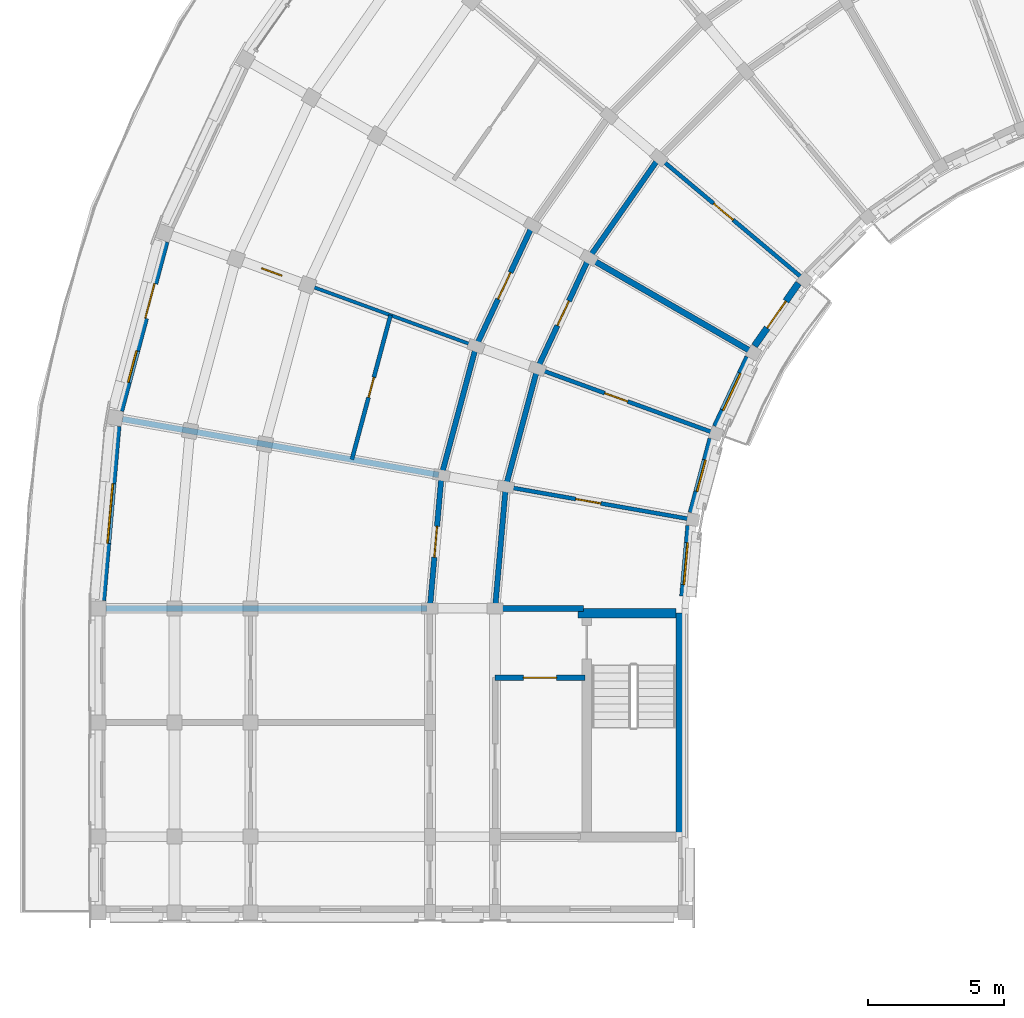
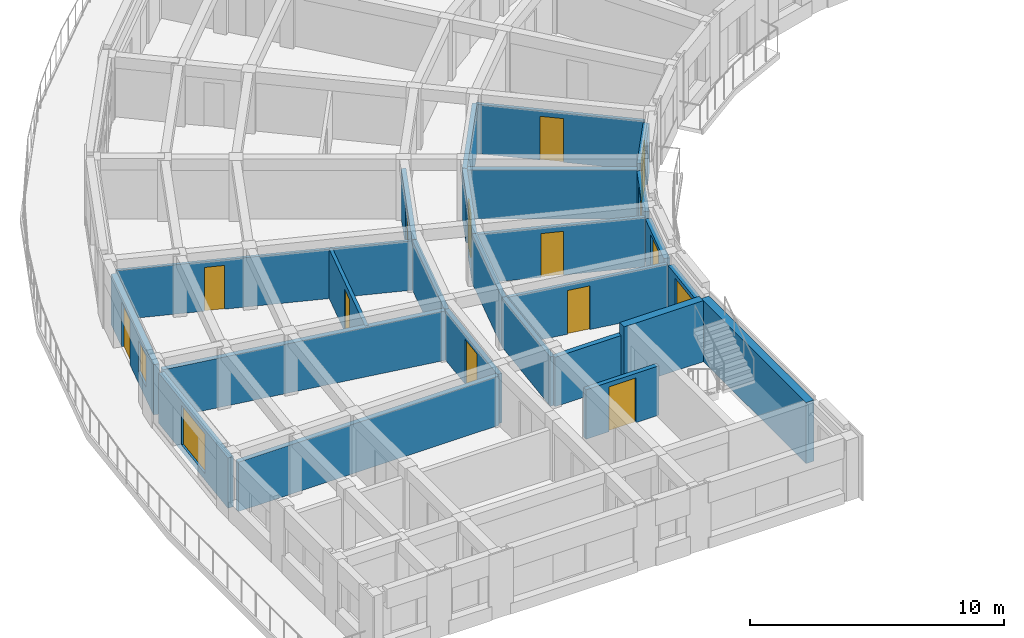
# One storey, part 11 of 23: 25 walls, 11 doors, 5 windows, 16 openings.
"""IFC4 building model written with IfcOpenShell, lengths in metres."""

from ifc_helpers import new_model, si_unit, direction, frame, frame_2d, origin, place, context, subcontext, project, spatial, rectangle, extrude, material, layer, layer_set, type_object, element, fill, save


model = new_model("IFC4")

# Units and contexts
model_context = context("Model", 3, precision=1e-05, world=origin(), true_north=direction((0.0, 1.0)))
body_context = subcontext(model_context, "Body", "Model", "MODEL_VIEW")
ifc_project = project(units=[si_unit("LENGTHUNIT", "METRE"), si_unit("AREAUNIT", "SQUARE_METRE"), si_unit("VOLUMEUNIT", "CUBIC_METRE"), si_unit("PLANEANGLEUNIT", "RADIAN"), si_unit("MASSUNIT", "GRAM", prefix="KILO")], contexts=[model_context])

# Site, building, storey
site_placement = place(None, origin())
site = spatial("IfcSite", under=ifc_project, at=site_placement, CompositionType="ELEMENT")
building_placement = place(site_placement, origin())
building = spatial("IfcBuilding", under=site, at=building_placement, Name="Kiranvali Square Residences", CompositionType="ELEMENT")
storey_placement = place(building_placement, frame((0.0, 0.0, 43.35009765625)))
storey = spatial("IfcBuildingStorey", under=building, at=storey_placement, Name="L13", CompositionType="ELEMENT", Elevation=43.35009765625)

# Wall, opening, door
ifc_material_1 = material(Name="Autoclaved aerated concrete blockwork masonry", Category="masonry")
ifc_layer_1 = layer(ifc_material_1, 0.199951171875)
ifc_layer_set_1 = layer_set([ifc_layer_1], Name="Autoclaved aerated concrete blockwork masonry")
wall_type_1 = type_object("IfcWallType", Name="WL-COR-200", PredefinedType="STANDARD", material=ifc_layer_set_1)
wall_1_placement = place(storey_placement, frame((25.699951171875, 85.25, 0.0), z_axis=(0.0, 0.0, 1.0), x_axis=(-1.0, 0.0, 0.0)))
wall_1 = element("IfcWall", 1, at=wall_1_placement, inside=storey, type_object=wall_type_1, Name="L13 architectural wall WL-L13-A-S3-V", PredefinedType="STANDARD", context=body_context, shape_type="SweptSolid", body=[
    extrude(rectangle(XDim=3.300048828125, YDim=0.199951171875, at=frame_2d((1.64990234375, 0.0))), origin(), (0.0, 0.0, 1.0), 2.371826171875),
])
opening_1_placement = place(wall_1_placement, frame((1.0400390625, 0.0, 0.0)))
opening_1 = element("IfcOpeningElement", 2, at=opening_1_placement, cuts=wall_1, Name="Opening FD-COR-60", PredefinedType="OPENING", context=body_context, shape_type="SweptSolid", body=[
    extrude(rectangle(XDim=1.219970703125, YDim=2.14990234375, at=frame_2d((0.60986328125, 1.074951171875))), frame((0.0, 0.10986328125, 0.0), z_axis=(0.0, -1.0, 0.0), x_axis=(1.0, 0.0, 0.0)), (0.0, 0.0, 1.0), 0.219970703125),
])
ifc_material_2 = material(Name="Fire-rated acoustic hardwood and mineral-core door assembly", Category="wood")
door_type_1 = type_object("IfcDoorType", Name="DR-FD60-1200", OperationType="NOTDEFINED", PredefinedType="DOOR", material=ifc_material_2)
door_1_placement = place(opening_1_placement, origin())
door_1 = element("IfcDoor", 3, at=door_1_placement, inside=storey, type_object=door_type_1, Name="L13 door DR-L13-0801 (DR-FD60-1200)", OperationType="SINGLE_SWING_LEFT", OverallHeight=2.14990234375, OverallWidth=1.219970703125, PredefinedType="DOOR", context=body_context, shape_type="SweptSolid", body=[
    extrude(rectangle(XDim=1.219970703125, YDim=2.14990234375, at=frame_2d((0.60986328125, 1.074951171875))), frame((0.0, 0.02490234375, 0.0), z_axis=(0.0, -1.0, 0.0), x_axis=(1.0, 0.0, 0.0)), (0.0, 0.0, 1.0), 0.050048828125),
])
fill(opening_1, door_1)

# Wall
wall_2_placement = place(storey_placement, frame((28.43603515625, 104.384033203125, 0.0), z_axis=(0.0, 0.0, 1.0), x_axis=(-0.573571637217, -0.819155404658, 0.0)))
element("IfcWall", 4, at=wall_2_placement, inside=storey, type_object=wall_type_1, Name="L13 architectural wall WL-L13-A-CCI-5", PredefinedType="STANDARD", context=body_context, shape_type="SweptSolid", body=[
    extrude(rectangle(XDim=4.497314453125, YDim=0.199951171875, at=frame_2d((2.24853515625, 0.0))), origin(), (0.0, 0.0, 1.0), 2.371826171875),
])

# Wall, opening, door
wall_3_placement = place(storey_placement, frame((25.8564453125, 100.699951171875, 0.0), z_axis=(0.0, 0.0, 1.0), x_axis=(-0.422617978463, -0.906307919131, 0.0)))
wall_3 = element("IfcWall", 5, at=wall_3_placement, inside=storey, type_object=wall_type_1, Name="L13 architectural wall WL-L13-A-CCI-6", PredefinedType="STANDARD", context=body_context, shape_type="SweptSolid", body=[
    extrude(rectangle(XDim=4.497314453125, YDim=0.199951171875, at=frame_2d((2.24853515625, 0.0))), origin(), (0.0, 0.0, 1.0), 2.371826171875),
])
opening_2_placement = place(wall_3_placement, frame((1.74853515625, 0.0, 0.0)))
opening_2 = element("IfcOpeningElement", 6, at=opening_2_placement, cuts=wall_3, Name="Opening FD-APT-60", PredefinedType="OPENING", context=body_context, shape_type="SweptSolid", body=[
    extrude(rectangle(XDim=1.0, YDim=2.14990234375, at=frame_2d((0.5, 1.074951171875))), frame((0.0, 0.10986328125, 0.0), z_axis=(0.0, -1.0, 0.0), x_axis=(1.0, 0.0, 0.0)), (0.0, 0.0, 1.0), 0.219970703125),
])
door_type_2 = type_object("IfcDoorType", Name="DR-APT-1000", OperationType="NOTDEFINED", PredefinedType="DOOR", material=ifc_material_2)
door_2_placement = place(opening_2_placement, frame((1.0, 0.0, 0.0), z_axis=(0.0, 0.0, 1.0), x_axis=(-1.0, 0.0, 0.0)))
door_2 = element("IfcDoor", 7, at=door_2_placement, inside=storey, type_object=door_type_2, Name="L13 door DR-L13-0840 (DR-APT-1000)", OperationType="SINGLE_SWING_RIGHT", OverallHeight=2.14990234375, OverallWidth=1.0, PredefinedType="DOOR", context=body_context, shape_type="SweptSolid", body=[
    extrude(rectangle(XDim=1.0, YDim=2.14990234375, at=frame_2d((0.5, 1.074951171875))), frame((0.0, 0.02490234375, 0.0), z_axis=(0.0, -1.0, 0.0), x_axis=(1.0, 0.0, 0.0)), (0.0, 0.0, 1.0), 0.050048828125),
])
fill(opening_2, door_2)

wall_4_placement = place(storey_placement, frame((23.778076171875, 101.89990234375, 0.0), z_axis=(0.0, 0.0, 1.0), x_axis=(-0.422629854778, -0.906302381024, 0.0)))
wall_4 = element("IfcWall", 8, at=wall_4_placement, inside=storey, type_object=wall_type_1, Name="L13 architectural wall WL-L13-A-CCO-6", PredefinedType="STANDARD", context=body_context, shape_type="SweptSolid", body=[
    extrude(rectangle(XDim=4.915283203125, YDim=0.199951171875, at=frame_2d((2.45751953125, 0.0))), origin(), (0.0, 0.0, 1.0), 2.371826171875),
])
opening_3_placement = place(wall_4_placement, frame((1.917724609375, 0.0, 0.0)))
opening_3 = element("IfcOpeningElement", 9, at=opening_3_placement, cuts=wall_4, Name="Opening FD-APT-60C", PredefinedType="OPENING", context=body_context, shape_type="SweptSolid", body=[
    extrude(rectangle(XDim=1.080078125, YDim=2.14990234375, at=frame_2d((0.5400390625, 1.074951171875))), frame((0.0, 0.10986328125, 0.0), z_axis=(0.0, -1.0, 0.0), x_axis=(1.0, 0.0, 0.0)), (0.0, 0.0, 1.0), 0.219970703125),
])
door_type_3 = type_object("IfcDoorType", Name="DR-APT-1080", OperationType="NOTDEFINED", PredefinedType="DOOR", material=ifc_material_2)
door_3_placement = place(opening_3_placement, origin())
door_3 = element("IfcDoor", 10, at=door_3_placement, inside=storey, type_object=door_type_3, Name="L13 door DR-L13-0835 (DR-APT-1080)", OperationType="SINGLE_SWING_LEFT", OverallHeight=2.14990234375, OverallWidth=1.080078125, PredefinedType="DOOR", context=body_context, shape_type="SweptSolid", body=[
    extrude(rectangle(XDim=1.080078125, YDim=2.14990234375, at=frame_2d((0.5400390625, 1.074951171875))), frame((0.0, 0.02490234375, 0.0), z_axis=(0.0, -1.0, 0.0), x_axis=(1.0, 0.0, 0.0)), (0.0, 0.0, 1.0), 0.050048828125),
])
fill(opening_3, door_3)

# Walls
wall_5_placement = place(storey_placement, frame((23.955810546875, 96.6240234375, 0.0), z_axis=(0.0, 0.0, 1.0), x_axis=(-0.258787642463, -0.965934240054, 0.0)))
element("IfcWall", 11, at=wall_5_placement, inside=storey, type_object=wall_type_1, Name="L13 architectural wall WL-L13-A-CCI-7", PredefinedType="STANDARD", context=body_context, shape_type="SweptSolid", body=[
    extrude(rectangle(XDim=4.497314453125, YDim=0.199951171875, at=frame_2d((2.24853515625, 0.0))), origin(), (0.0, 0.0, 1.0), 2.371826171875),
])
wall_6_placement = place(storey_placement, frame((21.70068359375, 97.445068359375, 0.0), z_axis=(0.0, 0.0, 1.0), x_axis=(-0.258803112091, -0.965930095386, 0.0)))
element("IfcWall", 12, at=wall_6_placement, inside=storey, type_object=wall_type_1, Name="L13 architectural wall WL-L13-A-CCO-7", PredefinedType="STANDARD", context=body_context, shape_type="SweptSolid", body=[
    extrude(rectangle(XDim=4.915771484375, YDim=0.199951171875, at=frame_2d((2.4580078125, 0.0))), origin(), (0.0, 0.0, 1.0), 2.371826171875),
])
wall_7_placement = place(storey_placement, frame((22.7919921875, 92.280029296875, 0.0), z_axis=(0.0, 0.0, 1.0), x_axis=(-0.087187153726, -0.996191949488, 0.0)))
element("IfcWall", 13, at=wall_7_placement, inside=storey, type_object=wall_type_1, Name="L13 architectural wall WL-L13-A-CCI-8", PredefinedType="STANDARD", context=body_context, shape_type="SweptSolid", body=[
    extrude(rectangle(XDim=4.4970703125, YDim=0.199951171875, at=frame_2d((2.24853515625, 0.0))), origin(), (0.0, 0.0, 1.0), 2.371826171875),
])

# Wall, opening, door
wall_8_placement = place(storey_placement, frame((20.428466796875, 92.69677734375, 0.0), z_axis=(0.0, 0.0, 1.0), x_axis=(-0.087167566415, -0.996193663584, 0.0)))
wall_8 = element("IfcWall", 14, at=wall_8_placement, inside=storey, type_object=wall_type_1, Name="L13 architectural wall WL-L13-A-CCO-8", PredefinedType="STANDARD", context=body_context, shape_type="SweptSolid", body=[
    extrude(rectangle(XDim=4.91552734375, YDim=0.199951171875, at=frame_2d((2.457763671875, 0.0))), origin(), (0.0, 0.0, 1.0), 2.371826171875),
])
opening_4_placement = place(wall_8_placement, frame((1.8876953125, 0.0, 0.0)))
opening_4 = element("IfcOpeningElement", 15, at=opening_4_placement, cuts=wall_8, Name="Opening FD-APT-60D", PredefinedType="OPENING", context=body_context, shape_type="SweptSolid", body=[
    extrude(rectangle(XDim=1.139892578125, YDim=2.14990234375, at=frame_2d((0.56982421875, 1.074951171875))), frame((0.0, 0.10986328125, 0.0), z_axis=(0.0, -1.0, 0.0), x_axis=(1.0, 0.0, 0.0)), (0.0, 0.0, 1.0), 0.219970703125),
])
door_type_4 = type_object("IfcDoorType", Name="DR-APT-1140", OperationType="NOTDEFINED", PredefinedType="DOOR", material=ifc_material_2)
door_4_placement = place(opening_4_placement, origin())
door_4 = element("IfcDoor", 16, at=door_4_placement, inside=storey, type_object=door_type_4, Name="L13 door DR-L13-0837 (DR-APT-1140)", OperationType="SINGLE_SWING_LEFT", OverallHeight=2.14990234375, OverallWidth=1.139892578125, PredefinedType="DOOR", context=body_context, shape_type="SweptSolid", body=[
    extrude(rectangle(XDim=1.139892578125, YDim=2.14990234375, at=frame_2d((0.56982421875, 1.074951171875))), frame((0.0, 0.02490234375, 0.0), z_axis=(0.0, -1.0, 0.0), x_axis=(1.0, 0.0, 0.0)), (0.0, 0.0, 1.0), 0.050048828125),
])
fill(opening_4, door_4)

# Walls
ifc_layer_2 = layer(ifc_material_1, 0.219970703125)
ifc_layer_set_2 = layer_set([ifc_layer_2], Name="Autoclaved aerated concrete blockwork masonry")
wall_type_2 = type_object("IfcWallType", Name="WL-DEM-220", PredefinedType="STANDARD", material=ifc_layer_set_2)
wall_9_placement = place(storey_placement, frame((31.74560546875, 97.300048828125, 0.0), z_axis=(0.0, 0.0, 1.0), x_axis=(-0.866026575979, 0.499997969693, 0.0)))
element("IfcWall", 17, at=wall_9_placement, inside=storey, type_object=wall_type_2, Name="L13 architectural wall WL-L13-A-RADI-6", PredefinedType="STANDARD", context=body_context, shape_type="SweptSolid", body=[
    extrude(rectangle(XDim=6.75, YDim=0.219970703125, at=frame_2d((3.375, 0.0))), origin(), (0.0, 0.0, 1.0), 2.371826171875),
])
wall_10_placement = place(storey_placement, frame((20.329833984375, 92.71435546875, 0.0), z_axis=(0.0, 0.0, 1.0), x_axis=(-0.984808085438, 0.173646292378, 0.0)))
element("IfcWall", 18, at=wall_10_placement, inside=storey, type_object=wall_type_2, Name="L13 architectural wall WL-L13-A-RADO-8", PredefinedType="STANDARD", context=body_context, shape_type="SweptSolid", body=[
    extrude(rectangle(XDim=11.820068359375, YDim=0.219970703125, at=frame_2d((5.91015625, 0.0))), origin(), (0.0, 0.0, 1.0), 2.371826171875),
])
wall_11_placement = place(storey_placement, frame((25.64990234375, 87.800048828125, 0.0), z_axis=(0.0, 0.0, 1.0), x_axis=(-1.0, 0.0, 0.0)))
element("IfcWall", 19, at=wall_11_placement, inside=storey, type_object=wall_type_2, Name="L13 architectural wall WL-L13-A-RADI-9", PredefinedType="STANDARD", context=body_context, shape_type="SweptSolid", body=[
    extrude(rectangle(XDim=3.199951171875, YDim=0.219970703125, at=frame_2d((1.60009765625, 0.0))), origin(), (0.0, 0.0, 1.0), 2.371826171875),
])
wall_12_placement = place(storey_placement, frame((19.89990234375, 87.800048828125, 0.0), z_axis=(0.0, 0.0, 1.0), x_axis=(-1.0, 0.0, 0.0)))
element("IfcWall", 20, at=wall_12_placement, inside=storey, type_object=wall_type_2, Name="L13 architectural wall WL-L13-A-RADO-9", PredefinedType="STANDARD", context=body_context, shape_type="SweptSolid", body=[
    extrude(rectangle(XDim=11.81982421875, YDim=0.219970703125, at=frame_2d((5.909912109375, 0.0))), origin(), (0.0, 0.0, 1.0), 2.371826171875),
])

# Wall, openings, door, window
ifc_material_3 = material(Name="Breathable lime-rendered clay brick masonry", Category="masonry")
ifc_layer_3 = layer(ifc_material_3, 0.25)
ifc_layer_set_3 = layer_set([ifc_layer_3], Name="Breathable lime-rendered clay brick masonry")
wall_type_3 = type_object("IfcWallType", Name="WL-EXT-250", PredefinedType="STANDARD", material=ifc_layer_set_3)
wall_13_placement = place(storey_placement, frame((10.279296875, 101.294921875, 0.0), z_axis=(0.0, 0.0, 1.0), x_axis=(-0.258804290367, -0.965929779688, 0.0)))
wall_13 = element("IfcWall", 21, at=wall_13_placement, inside=storey, type_object=wall_type_3, Name="L13 exterior wall A-L13-CRV-07", PredefinedType="STANDARD", context=body_context, shape_type="SweptSolid", body=[
    extrude(rectangle(XDim=6.441162109375, YDim=0.25, at=frame_2d((3.220703125, 0.0))), origin(), (0.0, 0.0, 1.0), 2.411865234375),
])
opening_5_placement = place(wall_13_placement, frame((4.15478515625, 0.0, 0.56201171875)))
opening_5 = element("IfcOpeningElement", 22, at=opening_5_placement, cuts=wall_13, Name="Opening W-06", PredefinedType="OPENING", context=body_context, shape_type="SweptSolid", body=[
    extrude(rectangle(XDim=1.199951171875, YDim=1.5, at=frame_2d((0.60009765625, 0.75))), frame((0.0, 0.135009765625, 0.0), z_axis=(0.0, -1.0, 0.0), x_axis=(1.0, 0.0, 0.0)), (0.0, 0.0, 1.0), 0.27001953125),
])
opening_6_placement = place(wall_13_placement, frame((1.594482421875, 0.0, 0.0)))
opening_6 = element("IfcOpeningElement", 23, at=opening_6_placement, cuts=wall_13, Name="Opening ED-BAL-3", PredefinedType="OPENING", context=body_context, shape_type="SweptSolid", body=[
    extrude(rectangle(XDim=1.320068359375, YDim=2.14990234375, at=frame_2d((0.66015625, 1.074951171875))), frame((0.0, 0.135009765625, 0.0), z_axis=(0.0, -1.0, 0.0), x_axis=(1.0, 0.0, 0.0)), (0.0, 0.0, 1.0), 0.27001953125),
])
ifc_material_4 = material(Name="Anodised bronze aluminium framing", Category="aluminium")
door_type_5 = type_object("IfcDoorType", Name="DR-BAL-1320", OperationType="NOTDEFINED", PredefinedType="DOOR", material=ifc_material_4)
door_5_placement = place(opening_6_placement, frame((1.320068359375, 0.0, 0.0), z_axis=(0.0, 0.0, 1.0), x_axis=(-1.0, 0.0, 0.0)))
door_5 = element("IfcDoor", 24, at=door_5_placement, inside=storey, type_object=door_type_5, Name="L13 balcony terrace door", OperationType="SINGLE_SWING_LEFT", OverallHeight=2.14990234375, OverallWidth=1.320068359375, PredefinedType="DOOR", context=body_context, shape_type="SweptSolid", body=[
    extrude(rectangle(XDim=1.320068359375, YDim=2.14990234375, at=frame_2d((0.66015625, 1.074951171875))), frame((0.0, 0.02490234375, 0.0), z_axis=(0.0, -1.0, 0.0), x_axis=(1.0, 0.0, 0.0)), (0.0, 0.0, 1.0), 0.050048828125),
])
fill(opening_6, door_5)
ifc_material_5 = material(Name="Solar-control low-e double glazing", Category="glass")
window_type_1 = type_object("IfcWindowType", Name="WIN-RES-1200x1500", PartitioningType="SINGLE_PANEL", PredefinedType="WINDOW", material=ifc_material_5)
window_1_placement = place(opening_5_placement, origin())
window_1 = element("IfcWindow", 25, at=window_1_placement, inside=storey, type_object=window_type_1, Name="L13 recessed window A-L13-CRV-07", OverallHeight=1.5, OverallWidth=1.199951171875, PartitioningType="SINGLE_PANEL", PredefinedType="WINDOW", context=body_context, shape_type="SweptSolid", body=[
    extrude(rectangle(XDim=1.199951171875, YDim=1.5, at=frame_2d((0.60009765625, 0.75))), frame((0.0, 0.030029296875, 0.0), z_axis=(0.0, -1.0, 0.0), x_axis=(1.0, 0.0, 0.0)), (0.0, 0.0, 1.0), 0.06005859375),
])
fill(opening_5, window_1)

# Wall, opening, window
wall_14_placement = place(storey_placement, frame((8.51220703125, 94.505126953125, 0.0), z_axis=(0.0, 0.0, 1.0), x_axis=(-0.087179175472, -0.996192647716, 0.0)))
wall_14 = element("IfcWall", 26, at=wall_14_placement, inside=storey, type_object=wall_type_3, Name="L13 exterior wall A-L13-CRV-08", PredefinedType="STANDARD", context=body_context, shape_type="SweptSolid", body=[
    extrude(rectangle(XDim=6.44091796875, YDim=0.25, at=frame_2d((3.220458984375, 0.0))), origin(), (0.0, 0.0, 1.0), 2.411865234375),
])
opening_7_placement = place(wall_14_placement, frame((2.12060546875, 0.0, 0.31201171875)))
opening_7 = element("IfcOpeningElement", 27, at=opening_7_placement, cuts=wall_14, Name="Opening W-20", PredefinedType="OPENING", context=body_context, shape_type="SweptSolid", body=[
    extrude(rectangle(XDim=2.199951171875, YDim=1.89990234375, at=frame_2d((1.10009765625, 0.949951171875))), frame((0.0, 0.135009765625, 0.0), z_axis=(0.0, -1.0, 0.0), x_axis=(1.0, 0.0, 0.0)), (0.0, 0.0, 1.0), 0.27001953125),
])
window_type_2 = type_object("IfcWindowType", Name="WIN-TER-2200x1900", PartitioningType="TRIPLE_PANEL_VERTICAL", PredefinedType="WINDOW", material=ifc_material_5)
window_2_placement = place(opening_7_placement, origin())
window_2 = element("IfcWindow", 28, at=window_2_placement, inside=storey, type_object=window_type_2, Name="L13 recessed window A-L13-CRV-08", OverallHeight=1.89990234375, OverallWidth=2.199951171875, PartitioningType="TRIPLE_PANEL_VERTICAL", PredefinedType="WINDOW", context=body_context, shape_type="SweptSolid", body=[
    extrude(rectangle(XDim=2.199951171875, YDim=1.89990234375, at=frame_2d((1.10009765625, 0.949951171875))), frame((0.0, 0.030029296875, 0.0), z_axis=(0.0, -1.0, 0.0), x_axis=(1.0, 0.0, 0.0)), (0.0, 0.0, 1.0), 0.06005859375),
])
fill(opening_7, window_2)

# Wall, opening, door
wall_15_placement = place(storey_placement, frame((33.56494140625, 99.76904296875, 0.0), z_axis=(0.0, 0.0, 1.0), x_axis=(-0.573572722716, -0.819154644592, 0.0)))
wall_15 = element("IfcWall", 29, at=wall_15_placement, inside=storey, type_object=wall_type_3, Name="L13 exterior wall A-L13-GDN-05", PredefinedType="STANDARD", context=body_context, shape_type="SweptSolid", body=[
    extrude(rectangle(XDim=2.8203125, YDim=0.25, at=frame_2d((1.41015625, 0.0))), origin(), (0.0, 0.0, 1.0), 2.421875),
])
opening_8_placement = place(wall_15_placement, frame((0.81005859375, 0.0, 0.0)))
opening_8 = element("IfcOpeningElement", 30, at=opening_8_placement, cuts=wall_15, Name="Opening ED-BAL-1", PredefinedType="OPENING", context=body_context, shape_type="SweptSolid", body=[
    extrude(rectangle(XDim=1.199951171875, YDim=2.14990234375, at=frame_2d((0.60009765625, 1.074951171875))), frame((0.0, 0.135009765625, 0.0), z_axis=(0.0, -1.0, 0.0), x_axis=(1.0, 0.0, 0.0)), (0.0, 0.0, 1.0), 0.27001953125),
])
door_type_6 = type_object("IfcDoorType", Name="DR-BAL-1200", OperationType="NOTDEFINED", PredefinedType="DOOR", material=ifc_material_4)
door_6_placement = place(opening_8_placement, origin())
door_6 = element("IfcDoor", 31, at=door_6_placement, inside=storey, type_object=door_type_6, Name="L13 balcony terrace door", OperationType="SINGLE_SWING_LEFT", OverallHeight=2.14990234375, OverallWidth=1.199951171875, PredefinedType="DOOR", context=body_context, shape_type="SweptSolid", body=[
    extrude(rectangle(XDim=1.199951171875, YDim=2.14990234375, at=frame_2d((0.60009765625, 1.074951171875))), frame((0.0, 0.02490234375, 0.0), z_axis=(0.0, -1.0, 0.0), x_axis=(1.0, 0.0, 0.0)), (0.0, 0.0, 1.0), 0.050048828125),
])
fill(opening_8, door_6)

# Wall, opening, window
wall_16_placement = place(storey_placement, frame((31.708984375, 97.045654296875, 0.0), z_axis=(0.0, 0.0, 1.0), x_axis=(-0.422667431484, -0.906284857185, 0.0)))
wall_16 = element("IfcWall", 32, at=wall_16_placement, inside=storey, type_object=wall_type_3, Name="L13 exterior wall A-L13-GDN-06", PredefinedType="STANDARD", context=body_context, shape_type="SweptSolid", body=[
    extrude(rectangle(XDim=2.81982421875, YDim=0.25, at=frame_2d((1.409912109375, 0.0))), origin(), (0.0, 0.0, 1.0), 2.421875),
])
opening_9_placement = place(wall_16_placement, frame((0.66015625, 0.0, 0.572021484375)))
opening_9 = element("IfcOpeningElement", 33, at=opening_9_placement, cuts=wall_16, Name="Opening W-05", PredefinedType="OPENING", context=body_context, shape_type="SweptSolid", body=[
    extrude(rectangle(XDim=1.5, YDim=1.64990234375, at=frame_2d((0.75, 0.824951171875))), frame((0.0, 0.135009765625, 0.0), z_axis=(0.0, -1.0, 0.0), x_axis=(1.0, 0.0, 0.0)), (0.0, 0.0, 1.0), 0.27001953125),
])
window_type_3 = type_object("IfcWindowType", Name="WIN-RES-1500x1650", PartitioningType="DOUBLE_PANEL_VERTICAL", PredefinedType="WINDOW", material=ifc_material_5)
window_3_placement = place(opening_9_placement, origin())
window_3 = element("IfcWindow", 34, at=window_3_placement, inside=storey, type_object=window_type_3, Name="L13 recessed window A-L13-GDN-06", OverallHeight=1.64990234375, OverallWidth=1.5, PartitioningType="DOUBLE_PANEL_VERTICAL", PredefinedType="WINDOW", context=body_context, shape_type="SweptSolid", body=[
    extrude(rectangle(XDim=1.5, YDim=1.64990234375, at=frame_2d((0.75, 0.824951171875))), frame((0.0, 0.030029296875, 0.0), z_axis=(0.0, -1.0, 0.0), x_axis=(1.0, 0.0, 0.0)), (0.0, 0.0, 1.0), 0.06005859375),
])
fill(opening_9, window_3)

wall_17_placement = place(storey_placement, frame((30.35400390625, 94.041748046875, 0.0), z_axis=(0.0, 0.0, 1.0), x_axis=(-0.258837049266, -0.965921001908, 0.0)))
wall_17 = element("IfcWall", 35, at=wall_17_placement, inside=storey, type_object=wall_type_3, Name="L13 exterior wall A-L13-GDN-07", PredefinedType="STANDARD", context=body_context, shape_type="SweptSolid", body=[
    extrude(rectangle(XDim=2.8203125, YDim=0.25, at=frame_2d((1.41015625, 0.0))), origin(), (0.0, 0.0, 1.0), 2.421875),
])
opening_10_placement = place(wall_17_placement, frame((0.81005859375, 0.0, 0.721923828125)))
opening_10 = element("IfcOpeningElement", 36, at=opening_10_placement, cuts=wall_17, Name="Opening W-06", PredefinedType="OPENING", context=body_context, shape_type="SweptSolid", body=[
    extrude(rectangle(XDim=1.199951171875, YDim=1.5, at=frame_2d((0.60009765625, 0.75))), frame((0.0, 0.135009765625, 0.0), z_axis=(0.0, -1.0, 0.0), x_axis=(1.0, 0.0, 0.0)), (0.0, 0.0, 1.0), 0.27001953125),
])
window_4_placement = place(opening_10_placement, origin())
window_4 = element("IfcWindow", 37, at=window_4_placement, inside=storey, type_object=window_type_1, Name="L13 recessed window A-L13-GDN-07", OverallHeight=1.5, OverallWidth=1.199951171875, PartitioningType="SINGLE_PANEL", PredefinedType="WINDOW", context=body_context, shape_type="SweptSolid", body=[
    extrude(rectangle(XDim=1.199951171875, YDim=1.5, at=frame_2d((0.60009765625, 0.75))), frame((0.0, 0.030029296875, 0.0), z_axis=(0.0, -1.0, 0.0), x_axis=(1.0, 0.0, 0.0)), (0.0, 0.0, 1.0), 0.06005859375),
])
fill(opening_10, window_4)

wall_18_placement = place(storey_placement, frame((29.541259765625, 90.847900390625, 0.0), z_axis=(0.0, 0.0, 1.0), x_axis=(-0.087227322402, -0.996188433092, 0.0)))
wall_18 = element("IfcWall", 38, at=wall_18_placement, inside=storey, type_object=wall_type_3, Name="L13 exterior wall A-L13-GDN-08", PredefinedType="STANDARD", context=body_context, shape_type="SweptSolid", body=[
    extrude(rectangle(XDim=2.608642578125, YDim=0.25, at=frame_2d((1.30419921875, 0.0))), origin(), (0.0, 0.0, 1.0), 2.421875),
])
opening_11_placement = place(wall_18_placement, frame((0.635009765625, 0.0, 0.6220703125)))
opening_11 = element("IfcOpeningElement", 39, at=opening_11_placement, cuts=wall_18, Name="Opening W-18", PredefinedType="OPENING", context=body_context, shape_type="SweptSolid", body=[
    extrude(rectangle(XDim=1.550048828125, YDim=1.60009765625, at=frame_2d((0.77490234375, 0.800048828125))), frame((0.0, 0.135009765625, 0.0), z_axis=(0.0, -1.0, 0.0), x_axis=(1.0, 0.0, 0.0)), (0.0, 0.0, 1.0), 0.27001953125),
])
window_type_4 = type_object("IfcWindowType", Name="WIN-GDN-1550x1600", PartitioningType="DOUBLE_PANEL_VERTICAL", PredefinedType="WINDOW", material=ifc_material_5)
window_5_placement = place(opening_11_placement, origin())
window_5 = element("IfcWindow", 40, at=window_5_placement, inside=storey, type_object=window_type_4, Name="L13 recessed window A-L13-GDN-08", OverallHeight=1.60009765625, OverallWidth=1.550048828125, PartitioningType="DOUBLE_PANEL_VERTICAL", PredefinedType="WINDOW", context=body_context, shape_type="SweptSolid", body=[
    extrude(rectangle(XDim=1.550048828125, YDim=1.60009765625, at=frame_2d((0.77490234375, 0.800048828125))), frame((0.0, 0.030029296875, 0.0), z_axis=(0.0, -1.0, 0.0), x_axis=(1.0, 0.0, 0.0)), (0.0, 0.0, 1.0), 0.06005859375),
])
fill(opening_11, window_5)

# Wall, opening, door
ifc_material_6 = material(Name="Acoustic gypsum board drylined partition", Category="gypsum")
ifc_layer_4 = layer(ifc_material_6, 0.125)
ifc_layer_set_4 = layer_set([ifc_layer_4], Name="Acoustic gypsum board drylined partition")
wall_type_4 = type_object("IfcWallType", Name="WL-PRT-125", PredefinedType="PARTITIONING", material=ifc_layer_set_4)
wall_19_placement = place(storey_placement, frame((21.606689453125, 97.479248046875, 0.0), z_axis=(0.0, 0.0, 1.0), x_axis=(-0.939698102693, 0.342005081534, 0.0)))
wall_19 = element("IfcWall", 41, at=wall_19_placement, inside=storey, type_object=wall_type_4, Name="L13 architectural wall WL-L13-A-RADO-7", PredefinedType="PARTITIONING", context=body_context, shape_type="SweptSolid", body=[
    extrude(rectangle(XDim=11.81982421875, YDim=0.125, at=frame_2d((5.909912109375, 0.0))), origin(), (0.0, 0.0, 1.0), 2.371826171875),
])
opening_12_placement = place(wall_19_placement, frame((7.50048828125, 0.0, 0.0)))
opening_12 = element("IfcOpeningElement", 42, at=opening_12_placement, cuts=wall_19, Name="Opening ID-WET", PredefinedType="OPENING", context=body_context, shape_type="SweptSolid", body=[
    extrude(rectangle(XDim=0.800048828125, YDim=2.10009765625, at=frame_2d((0.39990234375, 1.050048828125))), frame((0.0, 0.072509765625, 0.0), z_axis=(0.0, -1.0, 0.0), x_axis=(1.0, 0.0, 0.0)), (0.0, 0.0, 1.0), 0.14501953125),
])
ifc_material_7 = material(Name="Solid seasoned teak hardwood joinery", Category="wood")
door_type_7 = type_object("IfcDoorType", Name="DR-WET-800", OperationType="NOTDEFINED", PredefinedType="DOOR", material=ifc_material_7)
door_7_placement = place(opening_12_placement, frame((0.800048828125, 0.0, 0.0), z_axis=(0.0, 0.0, 1.0), x_axis=(-1.0, 0.0, 0.0)))
door_7 = element("IfcDoor", 43, at=door_7_placement, inside=storey, type_object=door_type_7, Name="L13 door DR-L13-0828 (DR-WET-800)", OperationType="SINGLE_SWING_RIGHT", OverallHeight=2.10009765625, OverallWidth=0.800048828125, PredefinedType="DOOR", context=body_context, shape_type="SweptSolid", body=[
    extrude(rectangle(XDim=0.800048828125, YDim=2.10009765625, at=frame_2d((0.39990234375, 1.050048828125))), frame((0.0, 0.02490234375, 0.0), z_axis=(0.0, -1.0, 0.0), x_axis=(1.0, 0.0, 0.0)), (0.0, 0.0, 1.0), 0.050048828125),
])
fill(opening_12, door_7)

ifc_layer_5 = layer(ifc_material_6, 0.14990234375)
ifc_layer_set_5 = layer_set([ifc_layer_5], Name="Acoustic gypsum board drylined partition")
wall_type_5 = type_object("IfcWallType", Name="WL-PRT-150", PredefinedType="PARTITIONING", material=ifc_layer_set_5)
wall_20_placement = place(storey_placement, frame((33.645263671875, 100.012939453125, 0.0), z_axis=(0.0, 0.0, 1.0), x_axis=(-0.766046761698, 0.642784846501, 0.0)))
wall_20 = element("IfcWall", 44, at=wall_20_placement, inside=storey, type_object=wall_type_5, Name="L13 architectural wall WL-L13-A-RADI-5", PredefinedType="PARTITIONING", context=body_context, shape_type="SweptSolid", body=[
    extrude(rectangle(XDim=6.75, YDim=0.14990234375, at=frame_2d((3.375, 0.0))), origin(), (0.0, 0.0, 1.0), 2.371826171875),
])
opening_13_placement = place(wall_20_placement, frame((3.242431640625, 0.0, 0.0)))
opening_13 = element("IfcOpeningElement", 45, at=opening_13_placement, cuts=wall_20, Name="Opening ID-2", PredefinedType="OPENING", context=body_context, shape_type="SweptSolid", body=[
    extrude(rectangle(XDim=0.93994140625, YDim=2.10009765625, at=frame_2d((0.469970703125, 1.050048828125))), frame((0.0, 0.0849609375, 0.0), z_axis=(0.0, -1.0, 0.0), x_axis=(1.0, 0.0, 0.0)), (0.0, 0.0, 1.0), 0.169921875),
])
door_type_8 = type_object("IfcDoorType", Name="DR-INT-940", OperationType="NOTDEFINED", PredefinedType="DOOR", material=ifc_material_7)
door_8_placement = place(opening_13_placement, origin())
door_8 = element("IfcDoor", 46, at=door_8_placement, inside=storey, type_object=door_type_8, Name="L13 door DR-L13-0825 (DR-INT-940)", OperationType="SINGLE_SWING_LEFT", OverallHeight=2.10009765625, OverallWidth=0.93994140625, PredefinedType="DOOR", context=body_context, shape_type="SweptSolid", body=[
    extrude(rectangle(XDim=0.93994140625, YDim=2.10009765625, at=frame_2d((0.469970703125, 1.050048828125))), frame((0.0, 0.02490234375, 0.0), z_axis=(0.0, -1.0, 0.0), x_axis=(1.0, 0.0, 0.0)), (0.0, 0.0, 1.0), 0.050048828125),
])
fill(opening_13, door_8)

wall_21_placement = place(storey_placement, frame((30.345947265625, 94.29833984375, 0.0), z_axis=(0.0, 0.0, 1.0), x_axis=(-0.939696231917, 0.342010221662, 0.0)))
wall_21 = element("IfcWall", 47, at=wall_21_placement, inside=storey, type_object=wall_type_5, Name="L13 architectural wall WL-L13-A-RADI-7", PredefinedType="PARTITIONING", context=body_context, shape_type="SweptSolid", body=[
    extrude(rectangle(XDim=6.75, YDim=0.14990234375, at=frame_2d((3.375, 0.0))), origin(), (0.0, 0.0, 1.0), 2.371826171875),
])
opening_14_placement = place(wall_21_placement, frame((3.262451171875, 0.0, 0.0)))
opening_14 = element("IfcOpeningElement", 48, at=opening_14_placement, cuts=wall_21, Name="Opening ID-1", PredefinedType="OPENING", context=body_context, shape_type="SweptSolid", body=[
    extrude(rectangle(XDim=0.89990234375, YDim=2.10009765625, at=frame_2d((0.449951171875, 1.050048828125))), frame((0.0, 0.0849609375, 0.0), z_axis=(0.0, -1.0, 0.0), x_axis=(1.0, 0.0, 0.0)), (0.0, 0.0, 1.0), 0.169921875),
])
door_type_9 = type_object("IfcDoorType", Name="DR-INT-900", OperationType="NOTDEFINED", PredefinedType="DOOR", material=ifc_material_7)
door_9_placement = place(opening_14_placement, origin())
door_9 = element("IfcDoor", 49, at=door_9_placement, inside=storey, type_object=door_type_9, Name="L13 door DR-L13-0827 (DR-INT-900)", OperationType="SINGLE_SWING_LEFT", OverallHeight=2.10009765625, OverallWidth=0.89990234375, PredefinedType="DOOR", context=body_context, shape_type="SweptSolid", body=[
    extrude(rectangle(XDim=0.89990234375, YDim=2.10009765625, at=frame_2d((0.449951171875, 1.050048828125))), frame((0.0, 0.02490234375, 0.0), z_axis=(0.0, -1.0, 0.0), x_axis=(1.0, 0.0, 0.0)), (0.0, 0.0, 1.0), 0.050048828125),
])
fill(opening_14, door_9)

wall_22_placement = place(storey_placement, frame((29.48876953125, 91.099365234375, 0.0), z_axis=(0.0, 0.0, 1.0), x_axis=(-0.984807944945, 0.173647089161, 0.0)))
wall_22 = element("IfcWall", 50, at=wall_22_placement, inside=storey, type_object=wall_type_5, Name="L13 architectural wall WL-L13-A-RADI-8", PredefinedType="PARTITIONING", context=body_context, shape_type="SweptSolid", body=[
    extrude(rectangle(XDim=6.75, YDim=0.14990234375, at=frame_2d((3.375, 0.0))), origin(), (0.0, 0.0, 1.0), 2.371826171875),
])
opening_15_placement = place(wall_22_placement, frame((3.242431640625, 0.0, 0.0)))
opening_15 = element("IfcOpeningElement", 51, at=opening_15_placement, cuts=wall_22, Name="Opening ID-2", PredefinedType="OPENING", context=body_context, shape_type="SweptSolid", body=[
    extrude(rectangle(XDim=0.93994140625, YDim=2.10009765625, at=frame_2d((0.469970703125, 1.050048828125))), frame((0.0, 0.0849609375, 0.0), z_axis=(0.0, -1.0, 0.0), x_axis=(1.0, 0.0, 0.0)), (0.0, 0.0, 1.0), 0.169921875),
])
door_10_placement = place(opening_15_placement, origin())
door_10 = element("IfcDoor", 52, at=door_10_placement, inside=storey, type_object=door_type_8, Name="L13 door DR-L13-0829 (DR-INT-940)", OperationType="SINGLE_SWING_LEFT", OverallHeight=2.10009765625, OverallWidth=0.93994140625, PredefinedType="DOOR", context=body_context, shape_type="SweptSolid", body=[
    extrude(rectangle(XDim=0.93994140625, YDim=2.10009765625, at=frame_2d((0.469970703125, 1.050048828125))), frame((0.0, 0.02490234375, 0.0), z_axis=(0.0, -1.0, 0.0), x_axis=(1.0, 0.0, 0.0)), (0.0, 0.0, 1.0), 0.050048828125),
])
fill(opening_15, door_10)

# Walls
ifc_material_8 = material(Name="Concrete M45 (45 MPa)", Category="concrete")
ifc_layer_6 = layer(ifc_material_8, 0.320068359375)
ifc_layer_set_6 = layer_set([ifc_layer_6], Name="Concrete M45 (45 MPa)")
wall_type_6 = type_object("IfcWallType", Name="WL-SHR-320", PredefinedType="SHEAR", material=ifc_layer_set_6)
wall_23_placement = place(storey_placement, frame((29.22509765625, 87.625, 0.0), z_axis=(0.0, 0.0, 1.0), x_axis=(0.0, -1.0, 0.0)))
element("IfcWall", 53, at=wall_23_placement, inside=storey, type_object=wall_type_6, Name="Block A core shear wall SW-A3-OUT-L13", PredefinedType="SHEAR", context=body_context, shape_type="SweptSolid", body=[
    extrude(rectangle(XDim=8.25, YDim=0.35009765625, at=frame_2d((4.125, 0.0))), origin(), (0.0, 0.0, 1.0), 2.929931640625),
])
wall_24_placement = place(storey_placement, frame((29.050048828125, 87.625, 0.0), z_axis=(0.0, 0.0, 1.0), x_axis=(-1.0, 0.0, 0.0)))
element("IfcWall", 54, at=wall_24_placement, inside=storey, type_object=wall_type_6, Name="Block A core shear wall SW-A3-NEAR-L13", PredefinedType="SHEAR", context=body_context, shape_type="SweptSolid", body=[
    extrude(rectangle(XDim=3.60009765625, YDim=0.35009765625, at=frame_2d((1.800048828125, 0.0))), origin(), (0.0, 0.0, 1.0), 2.929931640625),
])

# Wall, opening, door
ifc_layer_7 = layer(ifc_material_1, 0.14990234375)
ifc_layer_set_7 = layer_set([ifc_layer_7], Name="Autoclaved aerated concrete blockwork masonry")
wall_type_7 = type_object("IfcWallType", Name="WL-WET-150", PredefinedType="PLUMBINGWALL", material=ifc_layer_set_7)
wall_25_placement = place(storey_placement, frame((18.552734375, 98.5908203125, 0.0), z_axis=(0.0, 0.0, 1.0), x_axis=(-0.258806351229, -0.965929227513, 0.0)))
wall_25 = element("IfcWall", 55, at=wall_25_placement, inside=storey, type_object=wall_type_7, Name="L13 architectural wall WL-L13-A-CWET-7", PredefinedType="PLUMBINGWALL", context=body_context, shape_type="SweptSolid", body=[
    extrude(rectangle(XDim=5.49951171875, YDim=0.14990234375, at=frame_2d((2.749755859375, 0.0))), origin(), (0.0, 0.0, 1.0), 2.371826171875),
])
opening_16_placement = place(wall_25_placement, frame((2.369873046875, 0.0, 0.0)))
opening_16 = element("IfcOpeningElement", 56, at=opening_16_placement, cuts=wall_25, Name="Opening ID-WET0", PredefinedType="OPENING", context=body_context, shape_type="SweptSolid", body=[
    extrude(rectangle(XDim=0.760009765625, YDim=2.050048828125, at=frame_2d((0.3798828125, 1.02490234375))), frame((0.0, 0.0849609375, 0.0), z_axis=(0.0, -1.0, 0.0), x_axis=(1.0, 0.0, 0.0)), (0.0, 0.0, 1.0), 0.169921875),
])
door_type_10 = type_object("IfcDoorType", Name="DR-WET-760", OperationType="NOTDEFINED", PredefinedType="DOOR", material=ifc_material_7)
door_11_placement = place(opening_16_placement, frame((0.760009765625, 0.0, 0.0), z_axis=(0.0, 0.0, 1.0), x_axis=(-1.0, 0.0, 0.0)))
door_11 = element("IfcDoor", 57, at=door_11_placement, inside=storey, type_object=door_type_10, Name="L13 door DR-L13-0836 (DR-WET-760)", OperationType="SINGLE_SWING_RIGHT", OverallHeight=2.050048828125, OverallWidth=0.760009765625, PredefinedType="DOOR", context=body_context, shape_type="SweptSolid", body=[
    extrude(rectangle(XDim=0.760009765625, YDim=2.050048828125, at=frame_2d((0.3798828125, 1.02490234375))), frame((0.0, 0.02490234375, 0.0), z_axis=(0.0, -1.0, 0.0), x_axis=(1.0, 0.0, 0.0)), (0.0, 0.0, 1.0), 0.050048828125),
])
fill(opening_16, door_11)

save(model, "model.ifc")
